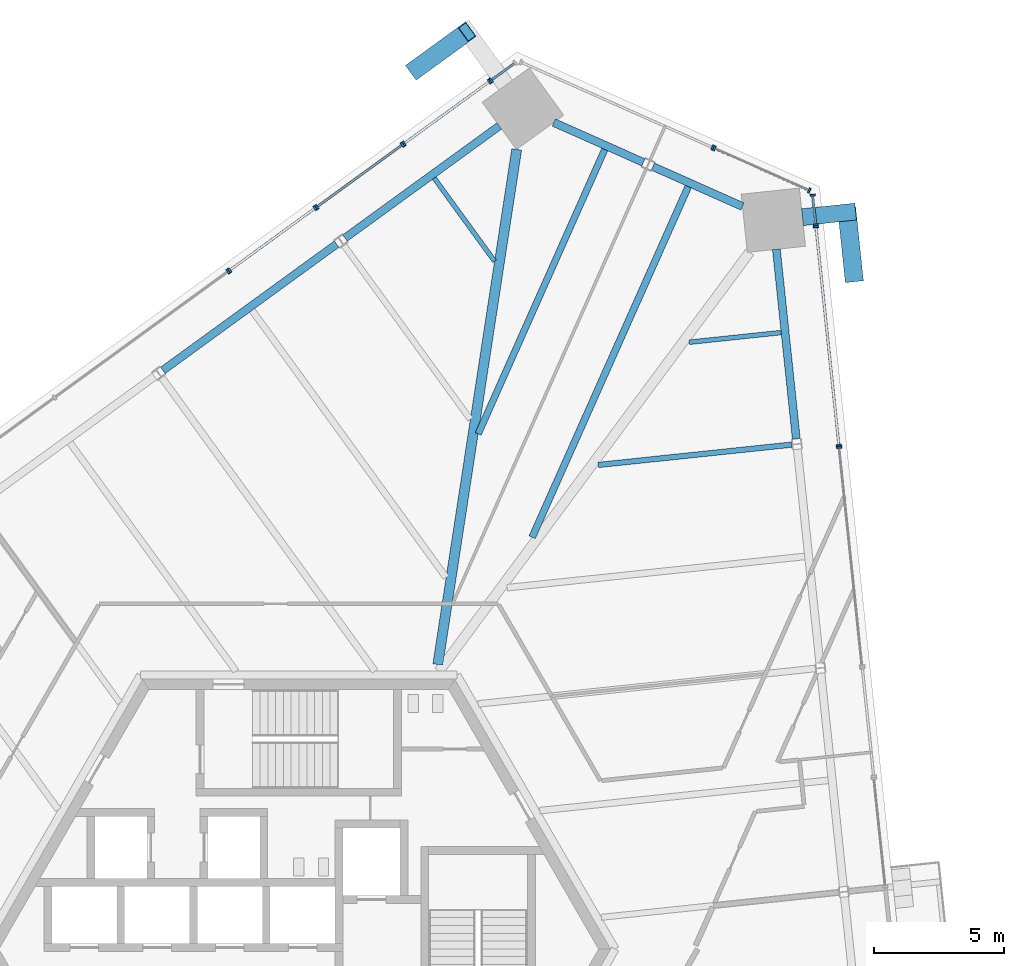
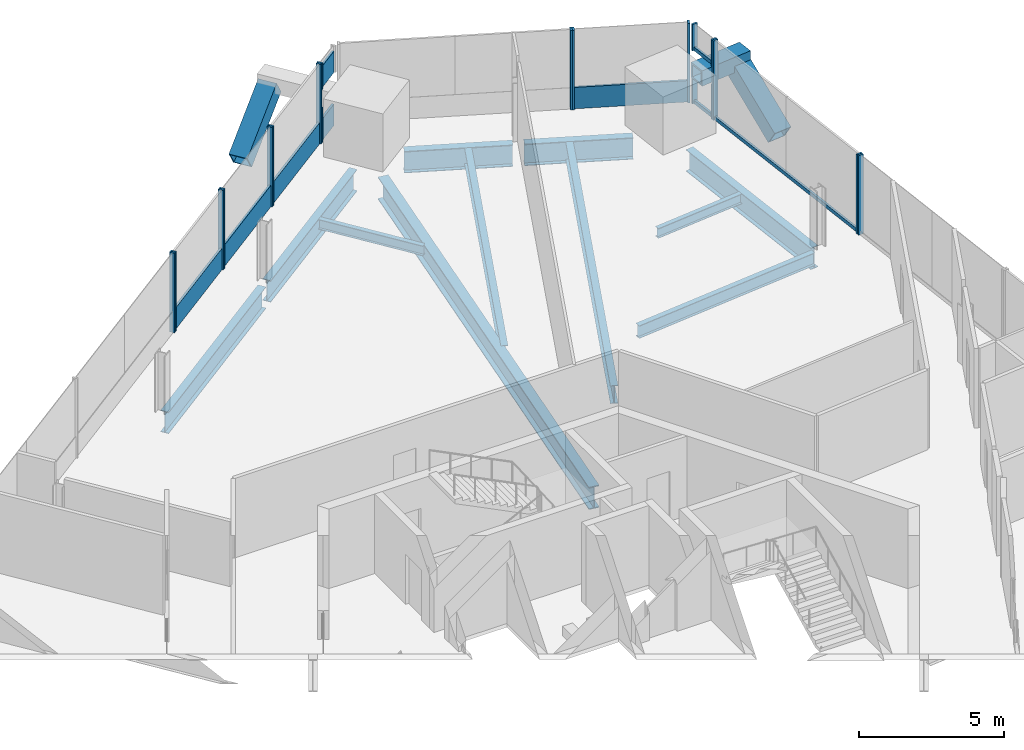
# One storey, part 9 of 25: 31 members, 11 beams, 12 elements without a shape of their own.
"""IFC4 building model written with IfcOpenShell, lengths in metres."""

from ifc_helpers import new_model, si_unit, direction, frame, origin, origin_2d, place, context, subcontext, project, spatial, rectangle, hollow_rectangle, i_section, extrude, source, transform, mapped, material, material_profile, profile_set, type_object, element, aggregate, save


model = new_model("IFC4")

# Units and contexts
model_context = context("Model", 3, precision=1e-05, world=origin(), true_north=direction((0.0, 1.0)))
body_context = subcontext(model_context, "Body", "Model", "MODEL_VIEW")
ifc_project = project(units=[si_unit("LENGTHUNIT", "METRE"), si_unit("AREAUNIT", "SQUARE_METRE"), si_unit("VOLUMEUNIT", "CUBIC_METRE"), si_unit("PLANEANGLEUNIT", "RADIAN"), si_unit("MASSUNIT", "GRAM", prefix="KILO")], contexts=[model_context])

# Site, building, storey
site_placement = place(None, origin())
site = spatial("IfcSite", under=ifc_project, at=site_placement, CompositionType="ELEMENT")
building_placement = place(site_placement, origin())
building = spatial("IfcBuilding", under=site, at=building_placement, Name="Triune Harvest Tower", CompositionType="ELEMENT")
storey_placement = place(building_placement, frame((0.0, 0.0, 90.89990234375)))
storey = spatial("IfcBuildingStorey", under=building, at=storey_placement, Name="L22", CompositionType="ELEMENT", Elevation=90.89990234375)

# Curtain wall, member
ifc_material_1 = material(Name="Aluminium bronze anodised", Category="aluminium")
curtain_wall_type_1 = type_object("IfcCurtainWallType", Name="CW-10 Balcony window wall with insulated spandrel infill", PredefinedType="NOTDEFINED", material=ifc_material_1)
curtain_wall_1_placement = place(storey_placement, origin())
curtain_wall_1 = element("IfcCurtainWall", 1, at=curtain_wall_1_placement, inside=storey, type_object=curtain_wall_type_1, Name="CW-10 B2-F1 L22 run 3002")
ifc_material_2 = material(Name="Aluminium bronze anodised", Category="aluminium")
ifc_material_profile_1 = material_profile(ifc_material_2, rectangle(XDim=0.090087890625, YDim=0.14990234375, at=origin_2d()), Name="TR-6 transom 90 x 150")
ifc_profile_set_1 = profile_set([ifc_material_profile_1], Name="Aluminium bronze anodised")
member_type_1 = type_object("IfcMemberType", Name="TR-6 transom 90 x 150", PredefinedType="USERDEFINED", material=ifc_profile_set_1)
member_1_placement = place(storey_placement, frame((20.781494140625, 19.42138671875, 0.0751953125), z_axis=(-0.104539265314, 0.994520759968, 0.0), x_axis=(-0.994520759968, -0.104539265314, 0.0)))
member_1 = element("IfcMember", 2, at=member_1_placement, type_object=member_type_1, Name="CW-10 transom B2-F1 3002.1", ObjectType="TRANSOM", PredefinedType="USERDEFINED", context=body_context, shape_type="SweptSolid", body=[
    extrude(rectangle(XDim=0.090087890625, YDim=0.14990234375, at=origin_2d()), origin(), (0.0, 0.0, 1.0), 8.384033203125),
])

# Beams
ifc_material_3 = material(Name="Steel ASTM A992 Gr 50", Category="steel")
ifc_material_profile_2 = material_profile(ifc_material_3, i_section(OverallWidth=0.3046875, OverallDepth=0.914306640625, WebThickness=0.0166015625, FlangeThickness=0.02587890625, at=origin_2d()), Name="W36x160")
ifc_profile_set_2 = profile_set([ifc_material_profile_2], Name="Steel ASTM A992 Gr 50")
beam_type_1 = type_object("IfcBeamType", Name="SB-1 Spandrel beam W36x160", PredefinedType="SPANDREL", material=ifc_profile_set_2)
shared_shape_1 = source(origin(), body_context, "Body", "SweptSolid", [
    extrude(i_section(OverallWidth=0.3046875, OverallDepth=0.914306640625, WebThickness=0.0166015625, FlangeThickness=0.02587890625, at=origin_2d()), origin(), (0.0, 0.0, 1.0), 7.337890625),
])
beam_1_placement = place(storey_placement, frame((7.7158203125, 31.677490234375, -0.6171875), z_axis=(-0.80902661548, -0.58777200975, 0.0), x_axis=(0.58777200975, -0.80902661548, 0.0)))
element("IfcBeam", 3, at=beam_1_placement, inside=storey, type_object=beam_type_1, Name="beam/L22/SB9", PredefinedType="SPANDREL", context=body_context, shape_type="MappedRepresentation", body=[
    mapped(shared_shape_1, transform((0.0, 0.0, 0.0), scale=1.0)),
])
shared_shape_2 = source(origin(), body_context, "Body", "SweptSolid", [
    extrude(i_section(OverallWidth=0.3046875, OverallDepth=0.914306640625, WebThickness=0.0166015625, FlangeThickness=0.02587890625, at=origin_2d()), origin(), (0.0, 0.0, 1.0), 8.263427734375),
])
beam_2_placement = place(storey_placement, frame((1.45654296875, 27.130126953125, -0.6171875), z_axis=(-0.809015786763, -0.587786914424, 0.0), x_axis=(0.587786914424, -0.809015786763, 0.0)))
element("IfcBeam", 4, at=beam_2_placement, inside=storey, type_object=beam_type_1, Name="beam/L22/SB10", PredefinedType="SPANDREL", context=body_context, shape_type="MappedRepresentation", body=[
    mapped(shared_shape_2, transform((0.0, 0.0, 0.0), scale=1.0)),
])
shared_shape_3 = source(origin(), body_context, "Body", "SweptSolid", [
    extrude(i_section(OverallWidth=0.3046875, OverallDepth=0.914306640625, WebThickness=0.0166015625, FlangeThickness=0.02587890625, at=origin_2d()), origin(), (0.0, 0.0, 1.0), 7.338134765625),
])
beam_3_placement = place(storey_placement, frame((19.145263671875, 19.632568359375, -0.6171875), z_axis=(-0.104502933908, 0.994524578281, 0.0), x_axis=(-0.994524578281, -0.104502933908, 0.0)))
element("IfcBeam", 5, at=beam_3_placement, inside=storey, type_object=beam_type_1, Name="beam/L22/SB6", PredefinedType="SPANDREL", context=body_context, shape_type="MappedRepresentation", body=[
    mapped(shared_shape_3, transform((0.0, 0.0, 0.0), scale=1.0)),
])
shared_shape_4 = source(origin(), body_context, "Body", "SweptSolid", [
    extrude(i_section(OverallWidth=0.3046875, OverallDepth=0.914306640625, WebThickness=0.0166015625, FlangeThickness=0.02587890625, at=origin_2d()), origin(), (0.0, 0.0, 1.0), 3.77490234375),
])
beam_4_placement = place(storey_placement, frame((17.073974609375, 28.577392578125, -0.6171875), z_axis=(-0.913541977346, 0.40674445986, 0.0), x_axis=(-0.40674445986, -0.913541977346, 0.0)))
element("IfcBeam", 6, at=beam_4_placement, inside=storey, type_object=beam_type_1, Name="beam/L22/SB7", PredefinedType="SPANDREL", context=body_context, shape_type="MappedRepresentation", body=[
    mapped(shared_shape_4, transform((0.0, 0.0, 0.0), scale=1.0)),
])
shared_shape_5 = source(origin(), body_context, "Body", "SweptSolid", [
    extrude(i_section(OverallWidth=0.3046875, OverallDepth=0.914306640625, WebThickness=0.0166015625, FlangeThickness=0.02587890625, at=origin_2d()), origin(), (0.0, 0.0, 1.0), 3.774658203125),
])
beam_5_placement = place(storey_placement, frame((13.260986328125, 30.275146484375, -0.6171875), z_axis=(-0.913566008399, 0.406690482182, 0.0), x_axis=(-0.406690482182, -0.913566008399, 0.0)))
element("IfcBeam", 7, at=beam_5_placement, inside=storey, type_object=beam_type_1, Name="beam/L22/SB8", PredefinedType="SPANDREL", context=body_context, shape_type="MappedRepresentation", body=[
    mapped(shared_shape_5, transform((0.0, 0.0, 0.0), scale=1.0)),
])
ifc_material_4 = material(Name="Steel ASTM A992 Gr 50", Category="steel")
ifc_material_profile_3 = material_profile(ifc_material_4, i_section(OverallWidth=0.383544921875, OverallDepth=0.9423828125, WebThickness=0.022216796875, FlangeThickness=0.039794921875, at=origin_2d()), Name="W36x232")
ifc_profile_set_3 = profile_set([ifc_material_profile_3], Name="Steel ASTM A992 Gr 50")
beam_type_2 = type_object("IfcBeamType", Name="HG-1 Hip girder W36x232", PredefinedType="BEAM", material=ifc_profile_set_3)
shared_shape_6 = source(origin(), body_context, "Body", "SweptSolid", [
    extrude(i_section(OverallWidth=0.383544921875, OverallDepth=0.9423828125, WebThickness=0.022216796875, FlangeThickness=0.039794921875, at=origin_2d()), origin(), (0.0, 0.0, 1.0), 20.0546875),
])
beam_6_placement = place(storey_placement, frame((8.38623046875, 30.774169921875, -0.631103515625), z_axis=(-0.151393010927, -0.988473649746, 0.0), x_axis=(0.988473649746, -0.151393010927, 0.0)))
element("IfcBeam", 8, at=beam_6_placement, inside=storey, type_object=beam_type_2, Name="beam/L22/HG4", PredefinedType="BEAM", context=body_context, shape_type="MappedRepresentation", body=[
    mapped(shared_shape_6, transform((0.0, 0.0, 0.0), scale=1.0)),
])
ifc_material_5 = material(Name="Steel ASTM A992 Gr 50", Category="steel")
ifc_material_profile_4 = material_profile(ifc_material_5, i_section(OverallWidth=0.180908203125, OverallDepth=0.41650390625, WebThickness=0.010986328125, FlangeThickness=0.01806640625, at=origin_2d()), Name="W16x57")
ifc_profile_set_4 = profile_set([ifc_material_profile_4], Name="Steel ASTM A992 Gr 50")
beam_type_3 = type_object("IfcBeamType", Name="JT-1 Floor joist W16x57", PredefinedType="JOIST", material=ifc_profile_set_4)
shared_shape_7 = source(origin(), body_context, "Body", "SweptSolid", [
    extrude(i_section(OverallWidth=0.180908203125, OverallDepth=0.41650390625, WebThickness=0.010986328125, FlangeThickness=0.01806640625, at=origin_2d()), origin(), (0.0, 0.0, 1.0), 3.95068359375),
])
beam_7_placement = place(storey_placement, frame((5.21142578125, 29.669677734375, -0.3681640625), z_axis=(0.587818894271, -0.808992550978, 0.0), x_axis=(0.808992550978, 0.587818894271, 0.0)))
element("IfcBeam", 9, at=beam_7_placement, inside=storey, type_object=beam_type_3, Name="beam/L22/JT14", PredefinedType="JOIST", context=body_context, shape_type="MappedRepresentation", body=[
    mapped(shared_shape_7, transform((0.0, 0.0, 0.0), scale=1.0)),
])
ifc_material_6 = material(Name="Steel ASTM A992 Gr 50", Category="steel")
ifc_material_profile_5 = material_profile(ifc_material_6, i_section(OverallWidth=0.2099609375, OverallDepth=0.535888671875, WebThickness=0.010986328125, FlangeThickness=0.017333984375, at=origin_2d()), Name="W21x68")
ifc_profile_set_5 = profile_set([ifc_material_profile_5], Name="Steel ASTM A992 Gr 50")
beam_type_4 = type_object("IfcBeamType", Name="JT-2 Floor joist W21x68", PredefinedType="JOIST", material=ifc_profile_set_5)
shared_shape_8 = source(origin(), body_context, "Body", "SweptSolid", [
    extrude(i_section(OverallWidth=0.2099609375, OverallDepth=0.535888671875, WebThickness=0.010986328125, FlangeThickness=0.017333984375, at=origin_2d()), origin(), (0.0, 0.0, 1.0), 7.491943359375),
])
beam_8_placement = place(storey_placement, frame((18.97021484375, 19.413818359375, -0.427978515625), z_axis=(-0.994520798259, -0.104538901039, 0.0), x_axis=(0.104538901039, -0.994520798259, 0.0)))
element("IfcBeam", 10, at=beam_8_placement, inside=storey, type_object=beam_type_4, Name="beam/L22/JT10", PredefinedType="JOIST", context=body_context, shape_type="MappedRepresentation", body=[
    mapped(shared_shape_8, transform((0.0, 0.0, 0.0), scale=1.0)),
])
shared_shape_9 = source(origin(), body_context, "Body", "SweptSolid", [
    extrude(i_section(OverallWidth=0.180908203125, OverallDepth=0.41650390625, WebThickness=0.010986328125, FlangeThickness=0.01806640625, at=origin_2d()), origin(), (0.0, 0.0, 1.0), 3.562255859375),
])
beam_9_placement = place(storey_placement, frame((18.56201171875, 23.725830078125, -0.3681640625), z_axis=(-0.994523089103, -0.104517105016, 0.0), x_axis=(0.104517105016, -0.994523089103, 0.0)))
element("IfcBeam", 11, at=beam_9_placement, inside=storey, type_object=beam_type_3, Name="beam/L22/JT11", PredefinedType="JOIST", context=body_context, shape_type="MappedRepresentation", body=[
    mapped(shared_shape_9, transform((0.0, 0.0, 0.0), scale=1.0)),
])
ifc_material_7 = material(Name="Steel ASTM A992 Gr 50", Category="steel")
ifc_material_profile_6 = material_profile(ifc_material_7, i_section(OverallWidth=0.2666015625, OverallDepth=0.7568359375, WebThickness=0.013916015625, FlangeThickness=0.019287109375, at=origin_2d()), Name="W30x108")
ifc_profile_set_6 = profile_set([ifc_material_profile_6], Name="Steel ASTM A992 Gr 50")
beam_type_5 = type_object("IfcBeamType", Name="JT-5 Floor joist W30x108", PredefinedType="JOIST", material=ifc_profile_set_6)
shared_shape_10 = source(origin(), body_context, "Body", "SweptSolid", [
    extrude(i_section(OverallWidth=0.2666015625, OverallDepth=0.7568359375, WebThickness=0.013916015625, FlangeThickness=0.019287109375, at=origin_2d()), origin(), (0.0, 0.0, 1.0), 14.766357421875),
])
beam_10_placement = place(storey_placement, frame((14.987060546875, 29.33984375, -0.538330078125), z_axis=(-0.406727456384, -0.913549547766, 0.0), x_axis=(0.913549547766, -0.406727456384, 0.0)))
element("IfcBeam", 12, at=beam_10_placement, inside=storey, type_object=beam_type_5, Name="beam/L22/JT12", PredefinedType="JOIST", context=body_context, shape_type="MappedRepresentation", body=[
    mapped(shared_shape_10, transform((0.0, 0.0, 0.0), scale=1.0)),
])
ifc_material_8 = material(Name="Steel ASTM A992 Gr 50", Category="steel")
ifc_material_profile_7 = material_profile(ifc_material_8, i_section(OverallWidth=0.253662109375, OverallDepth=0.683349609375, WebThickness=0.012451171875, FlangeThickness=0.01904296875, at=origin_2d()), Name="W27x94")
ifc_profile_set_7 = profile_set([ifc_material_profile_7], Name="Steel ASTM A992 Gr 50")
beam_type_6 = type_object("IfcBeamType", Name="JT-4 Floor joist W27x94", PredefinedType="JOIST", material=ifc_profile_set_7)
shared_shape_11 = source(origin(), body_context, "Body", "SweptSolid", [
    extrude(i_section(OverallWidth=0.253662109375, OverallDepth=0.683349609375, WebThickness=0.012451171875, FlangeThickness=0.01904296875, at=origin_2d()), origin(), (0.0, 0.0, 1.0), 11.977783203125),
])
beam_11_placement = place(storey_placement, frame((11.775390625, 30.769775390625, -0.50146484375), z_axis=(-0.406717086171, -0.913554164687, 0.0), x_axis=(0.913554164687, -0.406717086171, 0.0)))
element("IfcBeam", 13, at=beam_11_placement, inside=storey, type_object=beam_type_6, Name="beam/L22/JT13", PredefinedType="JOIST", context=body_context, shape_type="MappedRepresentation", body=[
    mapped(shared_shape_11, transform((0.0, 0.0, 0.0), scale=1.0)),
])

# Members
ifc_material_9 = material(Name="Steel ASTM A572 Gr 50", Category="steel")
ifc_material_profile_8 = material_profile(ifc_material_9, hollow_rectangle(XDim=0.64990234375, YDim=0.64990234375, WallThickness=0.070068359375, at=origin_2d()), Name="Box 650x650x70")
ifc_profile_set_8 = profile_set([ifc_material_profile_8], Name="Steel ASTM A572 Gr 50")
member_type_2 = type_object("IfcMemberType", Name="BS-1 Brace stub Box 650x650x70", PredefinedType="STRUT", material=ifc_profile_set_8)
shared_shape_12 = source(origin(), body_context, "Body", "SweptSolid", [
    extrude(hollow_rectangle(XDim=0.64990234375, YDim=0.64990234375, WallThickness=0.070068359375, at=origin_2d()), origin(), (0.0, 0.0, 1.0), 2.060546875),
])
member_2_placement = place(storey_placement, frame((19.37939453125, 28.166748046875, 1.85009765625), z_axis=(0.994524911948, 0.104499758439, 0.0), x_axis=(-0.104499758439, 0.994524911948, 0.0)))
element("IfcMember", 14, at=member_2_placement, inside=storey, type_object=member_type_2, Name="brace/B2-F1/stub2", PredefinedType="STRUT", context=body_context, shape_type="MappedRepresentation", body=[
    mapped(shared_shape_12, transform((0.0, 0.0, 0.0), scale=1.0)),
])
ifc_material_10 = material(Name="Steel ASTM A572 Gr 50", Category="steel")
ifc_material_profile_9 = material_profile(ifc_material_10, hollow_rectangle(XDim=0.699951171875, YDim=0.699951171875, WallThickness=0.0400390625, at=origin_2d()), Name="Box 700x700x40")
ifc_profile_set_9 = profile_set([ifc_material_profile_9], Name="Steel ASTM A572 Gr 50")
member_type_3 = type_object("IfcMemberType", Name="BR-1 Brace Box 700x700x40", PredefinedType="BRACE", material=ifc_profile_set_9)
shared_shape_13 = source(origin(), body_context, "Body", "SweptSolid", [
    extrude(hollow_rectangle(XDim=0.699951171875, YDim=0.699951171875, WallThickness=0.0400390625, at=origin_2d()), origin(), (0.0, 0.0, 1.0), 2.953125),
])
for number, where, z_axis, x_axis, name in (
    (15, (21.360595703125, 25.870361328125, 0.0), (-0.08812958444, 0.838884515306, 0.537127495411), (-0.994526914046, -0.104480702707, 0.0), "brace/B2-F1/d1/10"),
    (16, (4.462158203125, 33.831787109375, 0.0), (0.68239691716, 0.495800134748, 0.537137481317), (-0.587792820443, 0.809011495738, 0.0), "brace/B2-F3/d2/10"),
):
    element("IfcMember", number, at=place(storey_placement, frame(where, z_axis=z_axis, x_axis=x_axis)), inside=storey, type_object=member_type_3, Name=name, PredefinedType="BRACE", context=body_context, shape_type="MappedRepresentation", body=[
        mapped(shared_shape_13, transform((0.0, 0.0, 0.0), scale=1.0)),
    ])

# Curtain wall, member
ifc_material_11 = material(Name="Aluminium bronze anodised", Category="aluminium")
curtain_wall_type_2 = type_object("IfcCurtainWallType", Name="CW-1 Tower stick curtain wall", PredefinedType="NOTDEFINED", material=ifc_material_11)
curtain_wall_2_placement = place(storey_placement, origin())
curtain_wall_2 = element("IfcCurtainWall", 17, at=curtain_wall_2_placement, inside=storey, type_object=curtain_wall_type_2, Name="CW-1 B2-F3 L22 run 1")
ifc_material_12 = material(Name="Aluminium bronze anodised", Category="aluminium")
ifc_material_profile_10 = material_profile(ifc_material_12, rectangle(XDim=0.090087890625, YDim=0.89990234375, at=origin_2d()), Name="TR-1 transom 90 x 900")
ifc_profile_set_10 = profile_set([ifc_material_profile_10], Name="Aluminium bronze anodised")
member_type_4 = type_object("IfcMemberType", Name="TR-1 transom 90 x 900", PredefinedType="USERDEFINED", material=ifc_profile_set_10)
shared_shape_14 = source(origin(), body_context, "Body", "SweptSolid", [
    extrude(rectangle(XDim=0.090087890625, YDim=0.89990234375, at=origin_2d()), origin(), (0.0, 0.0, 1.0), 1.072021484375),
])
member_3_placement = place(storey_placement, frame((8.298583984375, 34.085205078125, 0.4501953125), z_axis=(-0.808982233989, -0.587833092884, 0.0), x_axis=(0.587833092884, -0.808982233989, 0.0)))
member_3 = element("IfcMember", 18, at=member_3_placement, type_object=member_type_4, Name="CW-1 transom B2-F3 1.1", ObjectType="TRANSOM", PredefinedType="USERDEFINED", context=body_context, shape_type="MappedRepresentation", body=[
    mapped(shared_shape_14, transform((0.0, 0.0, 0.0), scale=1.0)),
])

curtain_wall_3_placement = place(storey_placement, origin())
curtain_wall_3 = element("IfcCurtainWall", 19, at=curtain_wall_3_placement, inside=storey, type_object=curtain_wall_type_2, Name="CW-1 B2-F3 L22 run 101")
member_4_placement = place(storey_placement, frame((8.298583984375, 34.085205078125, 2.68505859375), z_axis=(-0.808982233989, -0.587833092884, 0.0), x_axis=(0.587833092884, -0.808982233989, 0.0)))
member_4 = element("IfcMember", 20, at=member_4_placement, type_object=member_type_4, Name="CW-1 transom B2-F3 101.1", ObjectType="TRANSOM", PredefinedType="USERDEFINED", context=body_context, shape_type="MappedRepresentation", body=[
    mapped(shared_shape_14, transform((0.0, 0.0, 0.0), scale=1.0)),
])

curtain_wall_4_placement = place(storey_placement, origin())
curtain_wall_4 = element("IfcCurtainWall", 21, at=curtain_wall_4_placement, inside=storey, type_object=curtain_wall_type_2, Name="CW-1 B2-F2 L22 run 1")
shared_shape_15 = source(origin(), body_context, "Body", "SweptSolid", [
    extrude(rectangle(XDim=0.090087890625, YDim=0.89990234375, at=origin_2d()), origin(), (0.0, 0.0, 1.0), 3.92333984375),
])
member_5_placement = place(storey_placement, frame((19.609375, 29.205810546875, 0.4501953125), z_axis=(-0.913554759991, 0.406715749016, 0.0), x_axis=(-0.406715749016, -0.913554759991, 0.0)))
member_5 = element("IfcMember", 22, at=member_5_placement, type_object=member_type_4, Name="CW-1 transom B2-F2 1.1", ObjectType="TRANSOM", PredefinedType="USERDEFINED", context=body_context, shape_type="MappedRepresentation", body=[
    mapped(shared_shape_15, transform((0.0, 0.0, 0.0), scale=1.0)),
])

# Curtain wall, members
curtain_wall_5_placement = place(storey_placement, origin())
curtain_wall_5 = element("IfcCurtainWall", 23, at=curtain_wall_5_placement, inside=storey, type_object=curtain_wall_type_1, Name="CW-10 B2-F1 L22 run 102")
ifc_material_13 = material(Name="Aluminium bronze anodised", Category="aluminium")
ifc_material_profile_11 = material_profile(ifc_material_13, rectangle(XDim=0.199951171875, YDim=0.074951171875, at=origin_2d()), Name="MU-6 mullion 75 x 200")
ifc_profile_set_11 = profile_set([ifc_material_profile_11], Name="Aluminium bronze anodised")
member_type_5 = type_object("IfcMemberType", Name="MU-6 mullion 75 x 200", PredefinedType="MULLION", material=ifc_profile_set_11)
shared_shape_16 = source(origin(), body_context, "Body", "SweptSolid", [
    extrude(rectangle(XDim=0.199951171875, YDim=0.074951171875, at=origin_2d()), origin(), (0.0, 0.0, 1.0), 1.465087890625),
])
member_6_placement = place(storey_placement, frame((19.893310546875, 27.871337890625, 0.0), z_axis=(0.0, 0.0, 1.0), x_axis=(-0.994522929633, -0.104518622429, 0.0)))
member_6 = element("IfcMember", 24, at=member_6_placement, type_object=member_type_5, Name="CW-10 mullion B2-F1 102.1", PredefinedType="MULLION", context=body_context, shape_type="MappedRepresentation", body=[
    mapped(shared_shape_16, transform((0.0, 0.0, 0.0), scale=1.0)),
])
member_7_placement = place(storey_placement, frame((19.7734375, 29.01171875, 0.0), z_axis=(0.0, 0.0, 1.0), x_axis=(-0.994522929633, -0.104518622429, 0.0)))
member_7 = element("IfcMember", 25, at=member_7_placement, type_object=member_type_5, Name="CW-10 mullion B2-F1 102.2", PredefinedType="MULLION", context=body_context, shape_type="MappedRepresentation", body=[
    mapped(shared_shape_16, transform((0.0, 0.0, 0.0), scale=1.0)),
])
shared_shape_17 = source(origin(), body_context, "Body", "SweptSolid", [
    extrude(rectangle(XDim=0.090087890625, YDim=0.14990234375, at=origin_2d()), origin(), (0.0, 0.0, 1.0), 1.07177734375),
])
member_8_placement = place(storey_placement, frame((19.889404296875, 27.90869140625, 0.0751953125), z_axis=(-0.104554352009, 0.994519174011, 0.0), x_axis=(-0.994519174011, -0.104554352009, 0.0)))
member_8 = element("IfcMember", 26, at=member_8_placement, type_object=member_type_1, Name="CW-10 transom B2-F1 102.1", ObjectType="TRANSOM", PredefinedType="USERDEFINED", context=body_context, shape_type="MappedRepresentation", body=[
    mapped(shared_shape_17, transform((0.0, 0.0, 0.0), scale=1.0)),
])
aggregate(curtain_wall_5, [member_6, member_7, member_8])

ifc_material_14 = material(Name="Aluminium bronze anodised", Category="aluminium")
curtain_wall_type_3 = type_object("IfcCurtainWallType", Name="CW-6 Balcony window wall", PredefinedType="NOTDEFINED", material=ifc_material_14)
curtain_wall_6_placement = place(storey_placement, origin())
curtain_wall_6 = element("IfcCurtainWall", 27, at=curtain_wall_6_placement, inside=storey, type_object=curtain_wall_type_3, Name="CW-6 B2-F1 L22 run 202")
member_9_placement = place(storey_placement, frame((19.889404296875, 27.90869140625, 2.31005859375), z_axis=(-0.104554352009, 0.994519174011, 0.0), x_axis=(-0.994519174011, -0.104554352009, 0.0)))
member_9 = element("IfcMember", 28, at=member_9_placement, type_object=member_type_1, Name="CW-6 transom B2-F1 202.1", ObjectType="TRANSOM", PredefinedType="USERDEFINED", context=body_context, shape_type="MappedRepresentation", body=[
    mapped(shared_shape_17, transform((0.0, 0.0, 0.0), scale=1.0)),
])
shared_shape_18 = source(origin(), body_context, "Body", "SweptSolid", [
    extrude(rectangle(XDim=0.199951171875, YDim=0.074951171875, at=origin_2d()), origin(), (0.0, 0.0, 1.0), 1.114990234375),
])
member_10_placement = place(storey_placement, frame((19.893310546875, 27.871337890625, 2.235107421875), z_axis=(0.0, 0.0, 1.0), x_axis=(-0.994522929633, -0.104518622429, 0.0)))
member_10 = element("IfcMember", 29, at=member_10_placement, type_object=member_type_5, Name="CW-6 mullion B2-F1 202.1", PredefinedType="MULLION", context=body_context, shape_type="MappedRepresentation", body=[
    mapped(shared_shape_18, transform((0.0, 0.0, 0.0), scale=1.0)),
])
member_11_placement = place(storey_placement, frame((19.7734375, 29.01171875, 2.235107421875), z_axis=(0.0, 0.0, 1.0), x_axis=(-0.994522929633, -0.104518622429, 0.0)))
member_11 = element("IfcMember", 30, at=member_11_placement, type_object=member_type_5, Name="CW-6 mullion B2-F1 202.2", PredefinedType="MULLION", context=body_context, shape_type="MappedRepresentation", body=[
    mapped(shared_shape_18, transform((0.0, 0.0, 0.0), scale=1.0)),
])
aggregate(curtain_wall_6, [member_10, member_11, member_9])

# Curtain wall, member
curtain_wall_7_placement = place(storey_placement, origin())
curtain_wall_7 = element("IfcCurtainWall", 31, at=curtain_wall_7_placement, inside=storey, type_object=curtain_wall_type_3, Name="CW-6 B2-F1 L22 run 2002")
shared_shape_19 = source(origin(), body_context, "Body", "SweptSolid", [
    extrude(rectangle(XDim=0.199951171875, YDim=0.074951171875, at=origin_2d()), origin(), (0.0, 0.0, 1.0), 3.35009765625),
])
member_12_placement = place(storey_placement, frame((20.793212890625, 19.3095703125, 0.0), z_axis=(0.0, 0.0, 1.0), x_axis=(-0.994521172565, -0.104535340049, 0.0)))
member_12 = element("IfcMember", 32, at=member_12_placement, type_object=member_type_5, Name="CW-6 mullion B2-F1 2002.3", PredefinedType="MULLION", context=body_context, shape_type="MappedRepresentation", body=[
    mapped(shared_shape_19, transform((0.0, 0.0, 0.0), scale=1.0)),
])
aggregate(curtain_wall_7, [member_12])

# Member
member_13_placement = place(storey_placement, frame((20.785400390625, 19.38427734375, 0.0), z_axis=(0.0, 0.0, 1.0), x_axis=(-0.9945222627, -0.10452496828, 0.0)))
member_13 = element("IfcMember", 33, at=member_13_placement, type_object=member_type_5, Name="CW-10 mullion B2-F1 3002.1", PredefinedType="MULLION", context=body_context, shape_type="MappedRepresentation", body=[
    mapped(shared_shape_19, transform((0.0, 0.0, 0.0), scale=1.0)),
])

member_14_placement = place(storey_placement, frame((19.901123046875, 27.796630859375, 0.0), z_axis=(0.0, 0.0, 1.0), x_axis=(-0.9945222627, -0.10452496828, 0.0)))
member_14 = element("IfcMember", 34, at=member_14_placement, type_object=member_type_5, Name="CW-10 mullion B2-F1 3002.3", PredefinedType="MULLION", context=body_context, shape_type="MappedRepresentation", body=[
    mapped(shared_shape_19, transform((0.0, 0.0, 0.0), scale=1.0)),
])

aggregate(curtain_wall_1, [member_13, member_14, member_1])

ifc_material_15 = material(Name="Aluminium bronze anodised", Category="aluminium")
ifc_material_profile_12 = material_profile(ifc_material_15, rectangle(XDim=0.199951171875, YDim=0.074951171875, at=origin_2d()), Name="MU-1 mullion 75 x 200")
ifc_profile_set_12 = profile_set([ifc_material_profile_12], Name="Aluminium bronze anodised")
member_type_6 = type_object("IfcMemberType", Name="MU-1 mullion 75 x 200", PredefinedType="MULLION", material=ifc_profile_set_12)
shared_shape_20 = source(origin(), body_context, "Body", "SweptSolid", [
    extrude(rectangle(XDim=0.199951171875, YDim=0.074951171875, at=origin_2d()), origin(), (0.0, 0.0, 1.0), 3.35009765625),
])
member_15_placement = place(storey_placement, frame((19.643798828125, 29.1904296875, 0.0), z_axis=(0.0, 0.0, 1.0), x_axis=(-0.406731107787, -0.913547922092, 0.0)))
member_15 = element("IfcMember", 35, at=member_15_placement, type_object=member_type_6, Name="CW-1 mullion B2-F2 1.1", PredefinedType="MULLION", context=body_context, shape_type="MappedRepresentation", body=[
    mapped(shared_shape_20, transform((0.0, 0.0, 0.0), scale=1.0)),
])

member_16_placement = place(storey_placement, frame((15.990966796875, 30.816650390625, 0.0), z_axis=(0.0, 0.0, 1.0), x_axis=(-0.406731107787, -0.913547922092, 0.0)))
member_16 = element("IfcMember", 36, at=member_16_placement, type_object=member_type_6, Name="CW-1 mullion B2-F2 1.2", PredefinedType="MULLION", context=body_context, shape_type="MappedRepresentation", body=[
    mapped(shared_shape_20, transform((0.0, 0.0, 0.0), scale=1.0)),
])

aggregate(curtain_wall_4, [member_15, member_16, member_5])

# Curtain wall, member
ifc_material_16 = material(Name="Aluminium bronze anodised", Category="aluminium")
curtain_wall_type_4 = type_object("IfcCurtainWallType", Name="CW-7 Tower stick curtain wall with insulated spandrel infill", PredefinedType="NOTDEFINED", material=ifc_material_16)
curtain_wall_8_placement = place(storey_placement, origin())
curtain_wall_8 = element("IfcCurtainWall", 37, at=curtain_wall_8_placement, inside=storey, type_object=curtain_wall_type_4, Name="CW-7 B2-F2 L22 run 1001")
member_17_placement = place(storey_placement, frame((15.92236328125, 30.84716796875, 0.0), z_axis=(0.0, 0.0, 1.0), x_axis=(-0.406735413684, -0.913546005002, 0.0)))
member_17 = element("IfcMember", 38, at=member_17_placement, type_object=member_type_6, Name="CW-7 mullion B2-F2 1001.1", PredefinedType="MULLION", context=body_context, shape_type="MappedRepresentation", body=[
    mapped(shared_shape_20, transform((0.0, 0.0, 0.0), scale=1.0)),
])
aggregate(curtain_wall_8, [member_17])

# Curtain wall, members
curtain_wall_9_placement = place(storey_placement, origin())
curtain_wall_9 = element("IfcCurtainWall", 39, at=curtain_wall_9_placement, inside=storey, type_object=curtain_wall_type_4, Name="CW-7 B2-F3 L22 run 201")
member_18_placement = place(storey_placement, frame((7.34033203125, 33.38916015625, 0.0), z_axis=(0.0, 0.0, 1.0), x_axis=(0.587787192366, -0.809015584825, 0.0)))
member_18 = element("IfcMember", 40, at=member_18_placement, type_object=member_type_6, Name="CW-7 mullion B2-F3 201.1", PredefinedType="MULLION", context=body_context, shape_type="MappedRepresentation", body=[
    mapped(shared_shape_20, transform((0.0, 0.0, 0.0), scale=1.0)),
])
member_19_placement = place(storey_placement, frame((4.047607421875, 30.996826171875, 0.0), z_axis=(0.0, 0.0, 1.0), x_axis=(0.587787192366, -0.809015584825, 0.0)))
member_19 = element("IfcMember", 41, at=member_19_placement, type_object=member_type_6, Name="CW-7 mullion B2-F3 201.2", PredefinedType="MULLION", context=body_context, shape_type="MappedRepresentation", body=[
    mapped(shared_shape_20, transform((0.0, 0.0, 0.0), scale=1.0)),
])

curtain_wall_10_placement = place(storey_placement, origin())
curtain_wall_10 = element("IfcCurtainWall", 42, at=curtain_wall_10_placement, inside=storey, type_object=curtain_wall_type_2, Name="CW-1 B2-F3 L22 run 1201")
member_20_placement = place(storey_placement, frame((3.987060546875, 30.95263671875, 0.0), z_axis=(0.0, 0.0, 1.0), x_axis=(0.587787192366, -0.809015584825, 0.0)))
member_20 = element("IfcMember", 43, at=member_20_placement, type_object=member_type_6, Name="CW-1 mullion B2-F3 1201.1", PredefinedType="MULLION", context=body_context, shape_type="MappedRepresentation", body=[
    mapped(shared_shape_20, transform((0.0, 0.0, 0.0), scale=1.0)),
])
member_21_placement = place(storey_placement, frame((0.6943359375, 28.560302734375, 0.0), z_axis=(0.0, 0.0, 1.0), x_axis=(0.587787192366, -0.809015584825, 0.0)))
member_21 = element("IfcMember", 44, at=member_21_placement, type_object=member_type_6, Name="CW-1 mullion B2-F3 1201.2", PredefinedType="MULLION", context=body_context, shape_type="MappedRepresentation", body=[
    mapped(shared_shape_20, transform((0.0, 0.0, 0.0), scale=1.0)),
])

curtain_wall_11_placement = place(storey_placement, origin())
curtain_wall_11 = element("IfcCurtainWall", 45, at=curtain_wall_11_placement, inside=storey, type_object=curtain_wall_type_4, Name="CW-7 B2-F3 L22 run 2201")
member_22_placement = place(storey_placement, frame((0.633544921875, 28.516357421875, 0.0), z_axis=(0.0, 0.0, 1.0), x_axis=(0.587787192366, -0.809015584825, 0.0)))
member_22 = element("IfcMember", 46, at=member_22_placement, type_object=member_type_6, Name="CW-7 mullion B2-F3 2201.1", PredefinedType="MULLION", context=body_context, shape_type="MappedRepresentation", body=[
    mapped(shared_shape_20, transform((0.0, 0.0, 0.0), scale=1.0)),
])
member_23_placement = place(storey_placement, frame((-2.6591796875, 26.1240234375, 0.0), z_axis=(0.0, 0.0, 1.0), x_axis=(0.587787192366, -0.809015584825, 0.0)))
member_23 = element("IfcMember", 47, at=member_23_placement, type_object=member_type_6, Name="CW-7 mullion B2-F3 2201.2", PredefinedType="MULLION", context=body_context, shape_type="MappedRepresentation", body=[
    mapped(shared_shape_20, transform((0.0, 0.0, 0.0), scale=1.0)),
])

# Curtain wall, member
curtain_wall_12_placement = place(storey_placement, origin())
curtain_wall_12 = element("IfcCurtainWall", 48, at=curtain_wall_12_placement, inside=storey, type_object=curtain_wall_type_2, Name="CW-1 B2-F3 L22 run 3201")
member_24_placement = place(storey_placement, frame((-2.7197265625, 26.079833984375, 0.0), z_axis=(0.0, 0.0, 1.0), x_axis=(0.587783244821, -0.809018452885, 0.0)))
member_24 = element("IfcMember", 49, at=member_24_placement, type_object=member_type_6, Name="CW-1 mullion B2-F3 3201.1", PredefinedType="MULLION", context=body_context, shape_type="MappedRepresentation", body=[
    mapped(shared_shape_20, transform((0.0, 0.0, 0.0), scale=1.0)),
])
aggregate(curtain_wall_12, [member_24])

# Member
shared_shape_21 = source(origin(), body_context, "Body", "SweptSolid", [
    extrude(rectangle(XDim=0.199951171875, YDim=0.074951171875, at=origin_2d()), origin(), (0.0, 0.0, 1.0), 1.465087890625),
])
member_25_placement = place(storey_placement, frame((7.401123046875, 33.43310546875, 0.0), z_axis=(0.0, 0.0, 1.0), x_axis=(0.587792061152, -0.809012047405, 0.0)))
member_25 = element("IfcMember", 50, at=member_25_placement, type_object=member_type_6, Name="CW-1 mullion B2-F3 1.2", PredefinedType="MULLION", context=body_context, shape_type="MappedRepresentation", body=[
    mapped(shared_shape_21, transform((0.0, 0.0, 0.0), scale=1.0)),
])

aggregate(curtain_wall_2, [member_25, member_3])

shared_shape_22 = source(origin(), body_context, "Body", "SweptSolid", [
    extrude(rectangle(XDim=0.199951171875, YDim=0.074951171875, at=origin_2d()), origin(), (0.0, 0.0, 1.0), 1.114990234375),
])
member_26_placement = place(storey_placement, frame((7.401123046875, 33.43310546875, 2.235107421875), z_axis=(0.0, 0.0, 1.0), x_axis=(0.587792061152, -0.809012047405, 0.0)))
member_26 = element("IfcMember", 51, at=member_26_placement, type_object=member_type_6, Name="CW-1 mullion B2-F3 101.2", PredefinedType="MULLION", context=body_context, shape_type="MappedRepresentation", body=[
    mapped(shared_shape_22, transform((0.0, 0.0, 0.0), scale=1.0)),
])

aggregate(curtain_wall_3, [member_26, member_4])

shared_shape_23 = source(origin(), body_context, "Body", "SweptSolid", [
    extrude(rectangle(XDim=0.090087890625, YDim=0.89990234375, at=origin_2d()), origin(), (0.0, 0.0, 1.0), 3.9951171875),
])
member_27_placement = place(storey_placement, frame((7.31005859375, 33.366943359375, 0.4501953125), z_axis=(-0.809037234729, -0.587757392826, 0.0), x_axis=(0.587757392826, -0.809037234729, 0.0)))
member_27 = element("IfcMember", 52, at=member_27_placement, type_object=member_type_4, Name="CW-7 transom B2-F3 201.1", ObjectType="TRANSOM", PredefinedType="USERDEFINED", context=body_context, shape_type="MappedRepresentation", body=[
    mapped(shared_shape_23, transform((0.0, 0.0, 0.0), scale=1.0)),
])

aggregate(curtain_wall_9, [member_18, member_19, member_27])

member_28_placement = place(storey_placement, frame((3.95654296875, 30.9306640625, 0.4501953125), z_axis=(-0.808987061117, -0.587826449682, 0.0), x_axis=(0.587826449682, -0.808987061117, 0.0)))
member_28 = element("IfcMember", 53, at=member_28_placement, type_object=member_type_4, Name="CW-1 transom B2-F3 1201.1", ObjectType="TRANSOM", PredefinedType="USERDEFINED", context=body_context, shape_type="MappedRepresentation", body=[
    mapped(shared_shape_23, transform((0.0, 0.0, 0.0), scale=1.0)),
])

aggregate(curtain_wall_10, [member_20, member_21, member_28])

member_29_placement = place(storey_placement, frame((0.603271484375, 28.494140625, 0.4501953125), z_axis=(-0.809037234729, -0.587757392826, 0.0), x_axis=(0.587757392826, -0.809037234729, 0.0)))
member_29 = element("IfcMember", 54, at=member_29_placement, type_object=member_type_4, Name="CW-7 transom B2-F3 2201.1", ObjectType="TRANSOM", PredefinedType="USERDEFINED", context=body_context, shape_type="MappedRepresentation", body=[
    mapped(shared_shape_23, transform((0.0, 0.0, 0.0), scale=1.0)),
])

aggregate(curtain_wall_11, [member_22, member_23, member_29])

save(model, "model.ifc")
